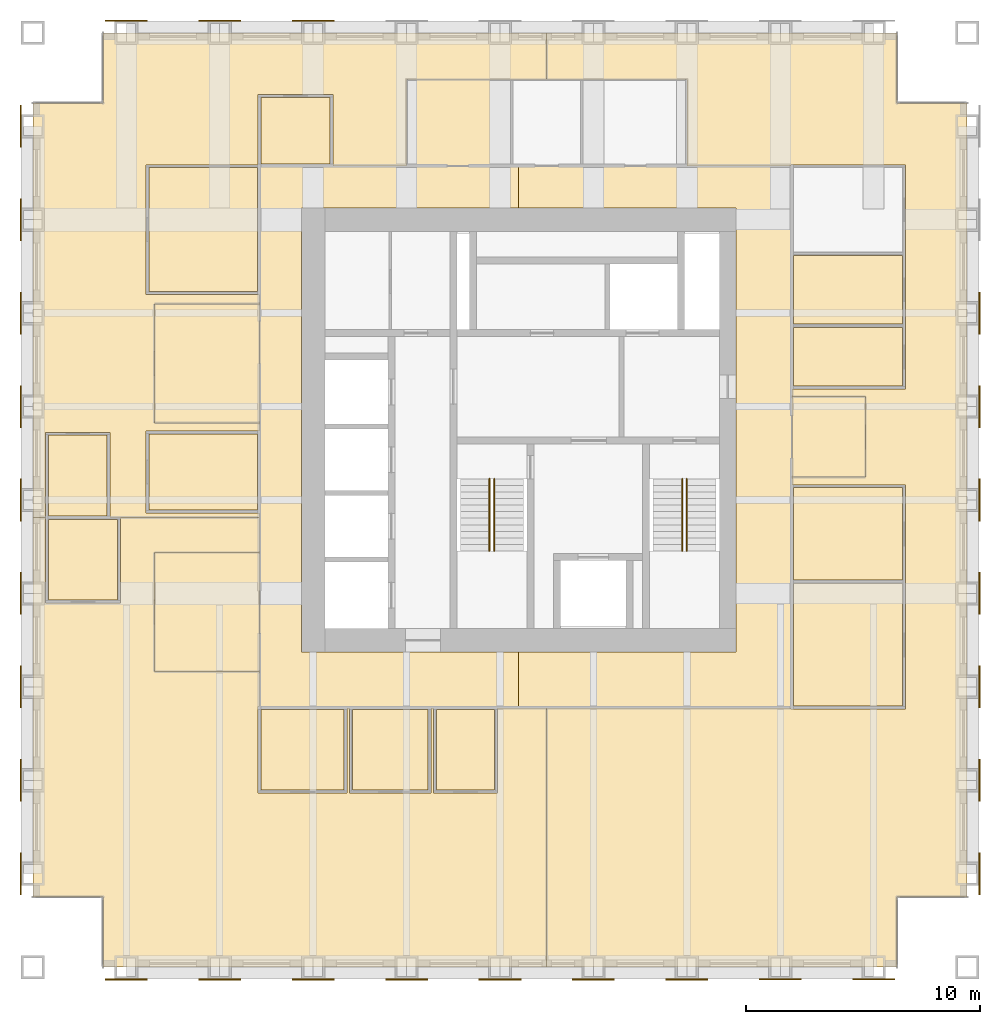
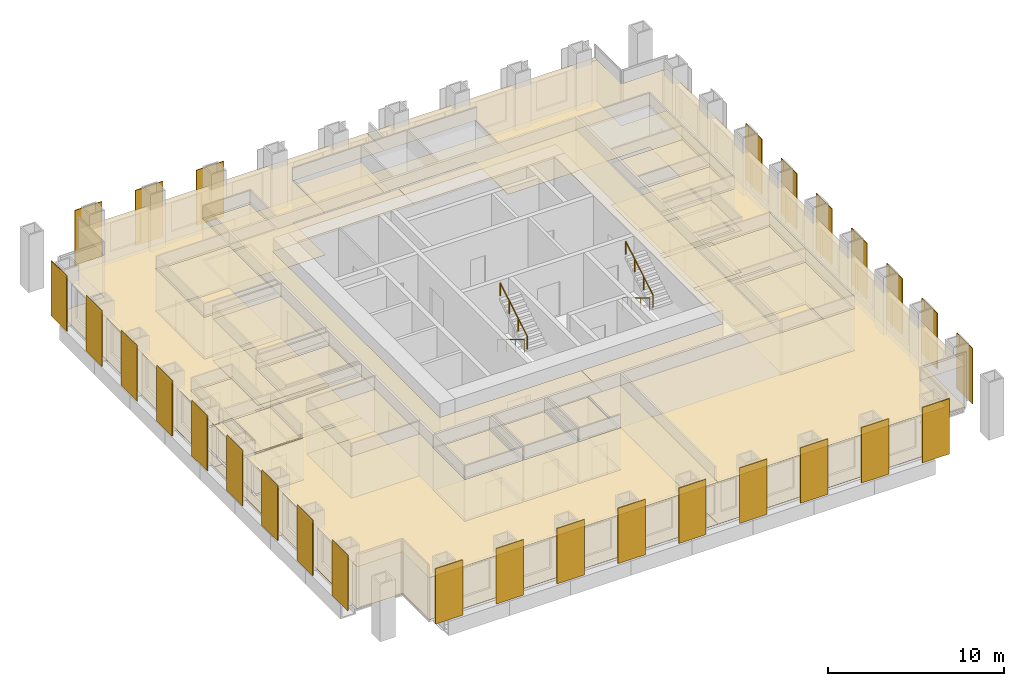
# One storey, part 12 of 13: 39 coverings, 28 shading devices, 4 railings.
"""IFC4 building model written with IfcOpenShell, lengths in metres."""

from ifc_helpers import new_model, si_unit, direction, frame, origin, origin_2d, place, context, subcontext, project, spatial, polyline, rectangle, circle, outline, extrude, material, layer, layer_set, type_object, element, save


model = new_model("IFC4")

# Units and contexts
model_context = context("Model", 3, precision=1e-05, world=origin(), true_north=direction((0.0, 1.0)))
body_context = subcontext(model_context, "Body", "Model", "MODEL_VIEW")
ifc_project = project(units=[si_unit("LENGTHUNIT", "METRE"), si_unit("AREAUNIT", "SQUARE_METRE"), si_unit("VOLUMEUNIT", "CUBIC_METRE"), si_unit("PLANEANGLEUNIT", "RADIAN"), si_unit("MASSUNIT", "GRAM", prefix="KILO")], contexts=[model_context])

# Site, building, storey
site_placement = place(None, origin())
site = spatial("IfcSite", under=ifc_project, at=site_placement, CompositionType="ELEMENT")
building_placement = place(site_placement, origin())
building = spatial("IfcBuilding", under=site, at=building_placement, Name="Rimbunsela Tower", CompositionType="ELEMENT")
storey_placement = place(building_placement, frame((0.0, 0.0, 286.199951171875)))
storey = spatial("IfcBuildingStorey", under=building, at=storey_placement, Name="L69", CompositionType="ELEMENT", Elevation=286.199951171875)

# Coverings
ifc_material_1 = material(Name="Nylon carpet tile", Category="textile")
ifc_layer_1 = layer(ifc_material_1, 0.010009765625)
ifc_layer_set_1 = layer_set([ifc_layer_1], Name="Carpet tile 10")
covering_type_1 = type_object("IfcCoveringType", Name="Carpet tile 10", PredefinedType="FLOORING", material=ifc_layer_set_1)
covering_1_placement = place(storey_placement, origin())
element("IfcCovering", 1, at=covering_1_placement, inside=storey, type_object=covering_type_1, Name="Floor finish Open office", PredefinedType="FLOORING", context=body_context, shape_type="SweptSolid", body=[
    extrude(outline(polyline([(19.449951171875, 15.10009765625), (19.550048828125, 15.10009765625), (19.550048828125, 11.449951171875), (23.050048828125, 11.449951171875), (23.050048828125, 15.10009765625), (23.14990234375, 15.10009765625), (23.14990234375, 11.449951171875), (25.89990234375, 11.449951171875), (25.89990234375, 15.10009765625), (27.9990234375, 15.10009765625), (27.9990234375, 4.0), (15.699951171875, 4.0), (9.0, 4.0), (9.0, 7.0), (6.0, 7.0), (6.0, 23.2490234375), (6.550048828125, 23.2490234375), (6.550048828125, 19.60009765625), (9.75, 19.60009765625), (9.75, 23.2490234375), (15.699951171875, 23.2490234375), (15.699951171875, 21.75), (11.199951171875, 21.75), (11.199951171875, 16.64990234375), (15.699951171875, 16.64990234375), (15.699951171875, 15.14990234375), (15.64990234375, 15.14990234375), (15.64990234375, 11.449951171875), (15.699951171875, 11.449951171875), (19.449951171875, 11.449951171875), (19.449951171875, 15.10009765625)])), origin(), (0.0, 0.0, 1.0), 0.010009765625),
])
covering_2_placement = place(storey_placement, origin())
element("IfcCovering", 2, at=covering_2_placement, inside=storey, type_object=covering_type_1, Name="Floor finish Open office", PredefinedType="FLOORING", context=body_context, shape_type="SweptSolid", body=[
    extrude(outline(polyline([(15.64990234375, 38.35009765625), (10.85009765625, 38.35009765625), (10.85009765625, 32.800048828125), (15.699951171875, 32.800048828125), (15.699951171875, 32.39990234375), (11.199951171875, 32.39990234375), (11.199951171875, 27.300048828125), (15.699951171875, 27.300048828125), (15.699951171875, 26.949951171875), (10.85009765625, 26.949951171875), (10.85009765625, 23.449951171875), (15.699951171875, 23.449951171875), (15.699951171875, 23.2509765625), (9.300048828125, 23.2509765625), (9.300048828125, 26.89990234375), (6.550048828125, 26.89990234375), (6.550048828125, 23.2509765625), (6.0, 23.2509765625), (6.0, 41.0), (9.0, 41.0), (9.0, 44.0), (15.699951171875, 44.0), (27.9990234375, 44.0), (27.9990234375, 42.0), (22.0, 42.0), (22.0, 38.300048828125), (18.85009765625, 38.300048828125), (18.85009765625, 41.35009765625), (15.699951171875, 41.35009765625), (15.64990234375, 41.35009765625), (15.64990234375, 38.35009765625)])), origin(), (0.0, 0.0, 1.0), 0.010009765625),
])
covering_3_placement = place(storey_placement, origin())
element("IfcCovering", 3, at=covering_3_placement, inside=storey, type_object=covering_type_1, Name="Floor finish Open office", PredefinedType="FLOORING", context=body_context, shape_type="SweptSolid", body=[
    extrude(outline(polyline([(28.0009765625, 15.10009765625), (38.449951171875, 15.10009765625), (38.449951171875, 15.050048828125), (38.5, 15.050048828125), (43.35009765625, 15.050048828125), (43.35009765625, 20.449951171875), (43.35009765625, 20.550048828125), (43.35009765625, 24.64990234375), (38.5, 24.64990234375), (38.5, 24.97509765625), (41.64990234375, 24.97509765625), (41.64990234375, 28.425048828125), (38.5, 28.425048828125), (38.5, 28.75), (43.35009765625, 28.75), (43.35009765625, 31.39990234375), (43.35009765625, 31.5), (43.35009765625, 34.5), (43.35009765625, 34.60009765625), (43.35009765625, 38.35009765625), (38.5, 38.35009765625), (38.449951171875, 38.35009765625), (38.449951171875, 38.300048828125), (34.0, 38.300048828125), (34.0, 42.0), (28.0009765625, 42.0), (28.0009765625, 44.0), (38.5, 44.0), (43.0, 44.0), (43.0, 41.0), (46.0, 41.0), (46.0, 7.0), (43.0, 7.0), (43.0, 4.0), (38.5, 4.0), (28.0009765625, 4.0), (28.0009765625, 15.10009765625)])), origin(), (0.0, 0.0, 1.0), 0.010009765625),
])
covering_4_placement = place(storey_placement, origin())
element("IfcCovering", 4, at=covering_4_placement, inside=storey, type_object=covering_type_1, Name="Floor finish Reception", PredefinedType="FLOORING", context=body_context, shape_type="SweptSolid", body=[
    extrude(outline(polyline([(15.699951171875, 16.64990234375), (15.699951171875, 21.75), (11.199951171875, 21.75), (11.199951171875, 16.64990234375), (15.699951171875, 16.64990234375)])), origin(), (0.0, 0.0, 1.0), 0.010009765625),
])
covering_5_placement = place(storey_placement, origin())
element("IfcCovering", 5, at=covering_5_placement, inside=storey, type_object=covering_type_1, Name="Floor finish Reception", PredefinedType="FLOORING", context=body_context, shape_type="SweptSolid", body=[
    extrude(outline(polyline([(15.699951171875, 27.300048828125), (15.699951171875, 32.39990234375), (11.199951171875, 32.39990234375), (11.199951171875, 27.300048828125), (15.699951171875, 27.300048828125)])), origin(), (0.0, 0.0, 1.0), 0.010009765625),
])
covering_6_placement = place(storey_placement, origin())
element("IfcCovering", 6, at=covering_6_placement, inside=storey, type_object=covering_type_1, Name="Floor finish Reception", PredefinedType="FLOORING", context=body_context, shape_type="SweptSolid", body=[
    extrude(outline(polyline([(41.64990234375, 24.97509765625), (41.64990234375, 28.425048828125), (38.5, 28.425048828125), (38.5, 24.97509765625), (41.64990234375, 24.97509765625)])), origin(), (0.0, 0.0, 1.0), 0.010009765625),
])
covering_7_placement = place(storey_placement, origin())
element("IfcCovering", 7, at=covering_7_placement, inside=storey, type_object=covering_type_1, Name="Floor finish Meeting room", PredefinedType="FLOORING", context=body_context, shape_type="SweptSolid", body=[
    extrude(outline(polyline([(15.625, 32.925048828125), (15.625, 38.22509765625), (10.97509765625, 38.22509765625), (10.97509765625, 32.925048828125), (15.625, 32.925048828125)])), origin(), (0.0, 0.0, 1.0), 0.010009765625),
])
covering_8_placement = place(storey_placement, origin())
element("IfcCovering", 8, at=covering_8_placement, inside=storey, type_object=covering_type_1, Name="Floor finish Meeting room", PredefinedType="FLOORING", context=body_context, shape_type="SweptSolid", body=[
    extrude(outline(polyline([(43.22509765625, 15.175048828125), (43.22509765625, 20.425048828125), (38.574951171875, 20.425048828125), (38.574951171875, 15.175048828125), (43.22509765625, 15.175048828125)])), origin(), (0.0, 0.0, 1.0), 0.010009765625),
])
covering_9_placement = place(storey_placement, origin())
element("IfcCovering", 9, at=covering_9_placement, inside=storey, type_object=covering_type_1, Name="Floor finish Pantry", PredefinedType="FLOORING", context=body_context, shape_type="SweptSolid", body=[
    extrude(outline(polyline([(43.22509765625, 20.574951171875), (43.22509765625, 24.52490234375), (38.574951171875, 24.52490234375), (38.574951171875, 20.574951171875), (43.22509765625, 20.574951171875)])), origin(), (0.0, 0.0, 1.0), 0.010009765625),
])
covering_10_placement = place(storey_placement, origin())
element("IfcCovering", 10, at=covering_10_placement, inside=storey, type_object=covering_type_1, Name="Floor finish Print and copy room", PredefinedType="FLOORING", context=body_context, shape_type="SweptSolid", body=[
    extrude(outline(polyline([(43.22509765625, 28.875), (43.22509765625, 31.375), (38.574951171875, 31.375), (38.574951171875, 28.875), (43.22509765625, 28.875)])), origin(), (0.0, 0.0, 1.0), 0.010009765625),
])
covering_11_placement = place(storey_placement, origin())
element("IfcCovering", 11, at=covering_11_placement, inside=storey, type_object=covering_type_1, Name="Floor finish Office", PredefinedType="FLOORING", context=body_context, shape_type="SweptSolid", body=[
    extrude(outline(polyline([(43.22509765625, 31.52490234375), (43.22509765625, 34.47509765625), (38.574951171875, 34.47509765625), (38.574951171875, 31.52490234375), (43.22509765625, 31.52490234375)])), origin(), (0.0, 0.0, 1.0), 0.010009765625),
])
covering_12_placement = place(storey_placement, origin())
element("IfcCovering", 12, at=covering_12_placement, inside=storey, type_object=covering_type_1, Name="Floor finish Meeting room", PredefinedType="FLOORING", context=body_context, shape_type="SweptSolid", body=[
    extrude(outline(polyline([(19.324951171875, 11.574951171875), (19.324951171875, 15.02490234375), (15.77490234375, 15.02490234375), (15.77490234375, 11.574951171875), (19.324951171875, 11.574951171875)])), origin(), (0.0, 0.0, 1.0), 0.010009765625),
])
covering_13_placement = place(storey_placement, origin())
element("IfcCovering", 13, at=covering_13_placement, inside=storey, type_object=covering_type_1, Name="Floor finish Pantry", PredefinedType="FLOORING", context=body_context, shape_type="SweptSolid", body=[
    extrude(outline(polyline([(22.925048828125, 11.574951171875), (22.925048828125, 15.02490234375), (19.675048828125, 15.02490234375), (19.675048828125, 11.574951171875), (22.925048828125, 11.574951171875)])), origin(), (0.0, 0.0, 1.0), 0.010009765625),
])
covering_14_placement = place(storey_placement, origin())
element("IfcCovering", 14, at=covering_14_placement, inside=storey, type_object=covering_type_1, Name="Floor finish Print and copy room", PredefinedType="FLOORING", context=body_context, shape_type="SweptSolid", body=[
    extrude(outline(polyline([(25.77490234375, 11.574951171875), (25.77490234375, 15.02490234375), (23.27490234375, 15.02490234375), (23.27490234375, 11.574951171875), (25.77490234375, 11.574951171875)])), origin(), (0.0, 0.0, 1.0), 0.010009765625),
])
covering_15_placement = place(storey_placement, origin())
element("IfcCovering", 15, at=covering_15_placement, inside=storey, type_object=covering_type_1, Name="Floor finish Office", PredefinedType="FLOORING", context=body_context, shape_type="SweptSolid", body=[
    extrude(outline(polyline([(9.625, 19.72509765625), (9.625, 23.175048828125), (6.675048828125, 23.175048828125), (6.675048828125, 19.72509765625), (9.625, 19.72509765625)])), origin(), (0.0, 0.0, 1.0), 0.010009765625),
])
covering_16_placement = place(storey_placement, origin())
element("IfcCovering", 16, at=covering_16_placement, inside=storey, type_object=covering_type_1, Name="Floor finish Pantry", PredefinedType="FLOORING", context=body_context, shape_type="SweptSolid", body=[
    extrude(outline(polyline([(15.625, 23.574951171875), (15.625, 26.824951171875), (10.97509765625, 26.824951171875), (10.97509765625, 23.574951171875), (15.625, 23.574951171875)])), origin(), (0.0, 0.0, 1.0), 0.010009765625),
])
covering_17_placement = place(storey_placement, origin())
element("IfcCovering", 17, at=covering_17_placement, inside=storey, type_object=covering_type_1, Name="Floor finish Print and copy room", PredefinedType="FLOORING", context=body_context, shape_type="SweptSolid", body=[
    extrude(outline(polyline([(9.175048828125, 23.324951171875), (9.175048828125, 26.77490234375), (6.675048828125, 26.77490234375), (6.675048828125, 23.324951171875), (9.175048828125, 23.324951171875)])), origin(), (0.0, 0.0, 1.0), 0.010009765625),
])
covering_18_placement = place(storey_placement, origin())
element("IfcCovering", 18, at=covering_18_placement, inside=storey, type_object=covering_type_1, Name="Floor finish Office", PredefinedType="FLOORING", context=body_context, shape_type="SweptSolid", body=[
    extrude(outline(polyline([(18.72509765625, 38.375), (18.72509765625, 41.22509765625), (15.77490234375, 41.22509765625), (15.77490234375, 38.375), (18.72509765625, 38.375)])), origin(), (0.0, 0.0, 1.0), 0.010009765625),
])
ifc_material_2 = material(Name="Mineral fibre ceiling tile", Category="gypsum")
ifc_layer_2 = layer(ifc_material_2, 0.02001953125)
ifc_layer_set_2 = layer_set([ifc_layer_2], Name="Ceiling 600 grid")
covering_type_2 = type_object("IfcCoveringType", Name="Ceiling 600 grid", PredefinedType="CEILING", material=ifc_layer_set_2)
covering_19_placement = place(storey_placement, frame((0.0, 0.0, 2.900146484375)))
element("IfcCovering", 19, at=covering_19_placement, inside=storey, type_object=covering_type_2, Name="Ceiling Ring corridor", PredefinedType="CEILING", context=body_context, shape_type="SweptSolid", body=[
    extrude(outline(polyline([(15.699951171875, 38.300048828125), (26.800048828125, 38.300048828125), (26.800048828125, 36.5), (17.5, 36.5), (17.5, 17.5), (26.800048828125, 17.5), (26.800048828125, 15.10009765625), (15.699951171875, 15.10009765625), (15.699951171875, 38.300048828125)])), origin(), (0.0, 0.0, 1.0), 0.02001953125),
])
covering_20_placement = place(storey_placement, frame((0.0, 0.0, 2.900146484375)))
element("IfcCovering", 20, at=covering_20_placement, inside=storey, type_object=covering_type_2, Name="Ceiling Ring corridor", PredefinedType="CEILING", context=body_context, shape_type="SweptSolid", body=[
    extrude(outline(polyline([(38.5, 38.300048828125), (38.5, 15.10009765625), (26.800048828125, 15.10009765625), (26.800048828125, 17.5), (36.10009765625, 17.5), (36.10009765625, 36.5), (26.800048828125, 36.5), (26.800048828125, 38.300048828125), (38.5, 38.300048828125)])), origin(), (0.0, 0.0, 1.0), 0.02001953125),
])
covering_21_placement = place(storey_placement, frame((0.0, 0.0, 2.900146484375)))
element("IfcCovering", 21, at=covering_21_placement, inside=storey, type_object=covering_type_2, Name="Ceiling Open office", PredefinedType="CEILING", context=body_context, shape_type="SweptSolid", body=[
    extrude(outline(polyline([(19.449951171875, 15.10009765625), (19.550048828125, 15.10009765625), (19.550048828125, 11.449951171875), (23.050048828125, 11.449951171875), (23.050048828125, 15.10009765625), (23.14990234375, 15.10009765625), (23.14990234375, 11.449951171875), (25.89990234375, 11.449951171875), (25.89990234375, 15.10009765625), (27.9990234375, 15.10009765625), (27.9990234375, 4.0), (15.699951171875, 4.0), (9.0, 4.0), (9.0, 7.0), (6.0, 7.0), (6.0, 23.2490234375), (6.550048828125, 23.2490234375), (6.550048828125, 19.60009765625), (9.75, 19.60009765625), (9.75, 23.2490234375), (15.699951171875, 23.2490234375), (15.699951171875, 21.75), (11.199951171875, 21.75), (11.199951171875, 16.64990234375), (15.699951171875, 16.64990234375), (15.699951171875, 15.14990234375), (15.64990234375, 15.14990234375), (15.64990234375, 11.449951171875), (15.699951171875, 11.449951171875), (19.449951171875, 11.449951171875), (19.449951171875, 15.10009765625)])), origin(), (0.0, 0.0, 1.0), 0.02001953125),
])
covering_22_placement = place(storey_placement, frame((0.0, 0.0, 2.900146484375)))
element("IfcCovering", 22, at=covering_22_placement, inside=storey, type_object=covering_type_2, Name="Ceiling Open office", PredefinedType="CEILING", context=body_context, shape_type="SweptSolid", body=[
    extrude(outline(polyline([(15.64990234375, 38.35009765625), (10.85009765625, 38.35009765625), (10.85009765625, 32.800048828125), (15.699951171875, 32.800048828125), (15.699951171875, 32.39990234375), (11.199951171875, 32.39990234375), (11.199951171875, 27.300048828125), (15.699951171875, 27.300048828125), (15.699951171875, 26.949951171875), (10.85009765625, 26.949951171875), (10.85009765625, 23.449951171875), (15.699951171875, 23.449951171875), (15.699951171875, 23.2509765625), (9.300048828125, 23.2509765625), (9.300048828125, 26.89990234375), (6.550048828125, 26.89990234375), (6.550048828125, 23.2509765625), (6.0, 23.2509765625), (6.0, 41.0), (9.0, 41.0), (9.0, 44.0), (15.699951171875, 44.0), (27.9990234375, 44.0), (27.9990234375, 42.0), (22.0, 42.0), (22.0, 38.300048828125), (18.85009765625, 38.300048828125), (18.85009765625, 41.35009765625), (15.699951171875, 41.35009765625), (15.64990234375, 41.35009765625), (15.64990234375, 38.35009765625)])), origin(), (0.0, 0.0, 1.0), 0.02001953125),
])
covering_23_placement = place(storey_placement, frame((0.0, 0.0, 2.900146484375)))
element("IfcCovering", 23, at=covering_23_placement, inside=storey, type_object=covering_type_2, Name="Ceiling Open office", PredefinedType="CEILING", context=body_context, shape_type="SweptSolid", body=[
    extrude(outline(polyline([(28.0009765625, 15.10009765625), (38.449951171875, 15.10009765625), (38.449951171875, 15.050048828125), (38.5, 15.050048828125), (43.35009765625, 15.050048828125), (43.35009765625, 20.449951171875), (43.35009765625, 20.550048828125), (43.35009765625, 24.64990234375), (38.5, 24.64990234375), (38.5, 24.97509765625), (41.64990234375, 24.97509765625), (41.64990234375, 28.425048828125), (38.5, 28.425048828125), (38.5, 28.75), (43.35009765625, 28.75), (43.35009765625, 31.39990234375), (43.35009765625, 31.5), (43.35009765625, 34.5), (43.35009765625, 34.60009765625), (43.35009765625, 38.35009765625), (38.5, 38.35009765625), (38.449951171875, 38.35009765625), (38.449951171875, 38.300048828125), (34.0, 38.300048828125), (34.0, 42.0), (28.0009765625, 42.0), (28.0009765625, 44.0), (38.5, 44.0), (43.0, 44.0), (43.0, 41.0), (46.0, 41.0), (46.0, 7.0), (43.0, 7.0), (43.0, 4.0), (38.5, 4.0), (28.0009765625, 4.0), (28.0009765625, 15.10009765625)])), origin(), (0.0, 0.0, 1.0), 0.02001953125),
])
covering_24_placement = place(storey_placement, frame((0.0, 0.0, 2.900146484375)))
element("IfcCovering", 24, at=covering_24_placement, inside=storey, type_object=covering_type_2, Name="Ceiling Reception", PredefinedType="CEILING", context=body_context, shape_type="SweptSolid", body=[
    extrude(outline(polyline([(15.699951171875, 16.64990234375), (15.699951171875, 21.75), (11.199951171875, 21.75), (11.199951171875, 16.64990234375), (15.699951171875, 16.64990234375)])), origin(), (0.0, 0.0, 1.0), 0.02001953125),
])
covering_25_placement = place(storey_placement, frame((0.0, 0.0, 2.900146484375)))
element("IfcCovering", 25, at=covering_25_placement, inside=storey, type_object=covering_type_2, Name="Ceiling Reception", PredefinedType="CEILING", context=body_context, shape_type="SweptSolid", body=[
    extrude(outline(polyline([(15.699951171875, 27.300048828125), (15.699951171875, 32.39990234375), (11.199951171875, 32.39990234375), (11.199951171875, 27.300048828125), (15.699951171875, 27.300048828125)])), origin(), (0.0, 0.0, 1.0), 0.02001953125),
])
covering_26_placement = place(storey_placement, frame((0.0, 0.0, 2.900146484375)))
element("IfcCovering", 26, at=covering_26_placement, inside=storey, type_object=covering_type_2, Name="Ceiling Reception", PredefinedType="CEILING", context=body_context, shape_type="SweptSolid", body=[
    extrude(outline(polyline([(41.64990234375, 24.97509765625), (41.64990234375, 28.425048828125), (38.5, 28.425048828125), (38.5, 24.97509765625), (41.64990234375, 24.97509765625)])), origin(), (0.0, 0.0, 1.0), 0.02001953125),
])
covering_27_placement = place(storey_placement, frame((0.0, 0.0, 2.900146484375)))
element("IfcCovering", 27, at=covering_27_placement, inside=storey, type_object=covering_type_2, Name="Ceiling Meeting room", PredefinedType="CEILING", context=body_context, shape_type="SweptSolid", body=[
    extrude(outline(polyline([(15.625, 32.925048828125), (15.625, 38.22509765625), (10.97509765625, 38.22509765625), (10.97509765625, 32.925048828125), (15.625, 32.925048828125)])), origin(), (0.0, 0.0, 1.0), 0.02001953125),
])
covering_28_placement = place(storey_placement, frame((0.0, 0.0, 2.900146484375)))
element("IfcCovering", 28, at=covering_28_placement, inside=storey, type_object=covering_type_2, Name="Ceiling Meeting room", PredefinedType="CEILING", context=body_context, shape_type="SweptSolid", body=[
    extrude(outline(polyline([(43.22509765625, 15.175048828125), (43.22509765625, 20.425048828125), (38.574951171875, 20.425048828125), (38.574951171875, 15.175048828125), (43.22509765625, 15.175048828125)])), origin(), (0.0, 0.0, 1.0), 0.02001953125),
])
covering_29_placement = place(storey_placement, frame((0.0, 0.0, 2.900146484375)))
element("IfcCovering", 29, at=covering_29_placement, inside=storey, type_object=covering_type_2, Name="Ceiling Pantry", PredefinedType="CEILING", context=body_context, shape_type="SweptSolid", body=[
    extrude(outline(polyline([(43.22509765625, 20.574951171875), (43.22509765625, 24.52490234375), (38.574951171875, 24.52490234375), (38.574951171875, 20.574951171875), (43.22509765625, 20.574951171875)])), origin(), (0.0, 0.0, 1.0), 0.02001953125),
])
covering_30_placement = place(storey_placement, frame((0.0, 0.0, 2.900146484375)))
element("IfcCovering", 30, at=covering_30_placement, inside=storey, type_object=covering_type_2, Name="Ceiling Print and copy room", PredefinedType="CEILING", context=body_context, shape_type="SweptSolid", body=[
    extrude(outline(polyline([(43.22509765625, 28.875), (43.22509765625, 31.375), (38.574951171875, 31.375), (38.574951171875, 28.875), (43.22509765625, 28.875)])), origin(), (0.0, 0.0, 1.0), 0.02001953125),
])
covering_31_placement = place(storey_placement, frame((0.0, 0.0, 2.900146484375)))
element("IfcCovering", 31, at=covering_31_placement, inside=storey, type_object=covering_type_2, Name="Ceiling Office", PredefinedType="CEILING", context=body_context, shape_type="SweptSolid", body=[
    extrude(outline(polyline([(43.22509765625, 31.52490234375), (43.22509765625, 34.47509765625), (38.574951171875, 34.47509765625), (38.574951171875, 31.52490234375), (43.22509765625, 31.52490234375)])), origin(), (0.0, 0.0, 1.0), 0.02001953125),
])
covering_32_placement = place(storey_placement, frame((0.0, 0.0, 2.900146484375)))
element("IfcCovering", 32, at=covering_32_placement, inside=storey, type_object=covering_type_2, Name="Ceiling Meeting room", PredefinedType="CEILING", context=body_context, shape_type="SweptSolid", body=[
    extrude(outline(polyline([(19.324951171875, 11.574951171875), (19.324951171875, 15.02490234375), (15.77490234375, 15.02490234375), (15.77490234375, 11.574951171875), (19.324951171875, 11.574951171875)])), origin(), (0.0, 0.0, 1.0), 0.02001953125),
])
covering_33_placement = place(storey_placement, frame((0.0, 0.0, 2.900146484375)))
element("IfcCovering", 33, at=covering_33_placement, inside=storey, type_object=covering_type_2, Name="Ceiling Pantry", PredefinedType="CEILING", context=body_context, shape_type="SweptSolid", body=[
    extrude(outline(polyline([(22.925048828125, 11.574951171875), (22.925048828125, 15.02490234375), (19.675048828125, 15.02490234375), (19.675048828125, 11.574951171875), (22.925048828125, 11.574951171875)])), origin(), (0.0, 0.0, 1.0), 0.02001953125),
])
covering_34_placement = place(storey_placement, frame((0.0, 0.0, 2.900146484375)))
element("IfcCovering", 34, at=covering_34_placement, inside=storey, type_object=covering_type_2, Name="Ceiling Print and copy room", PredefinedType="CEILING", context=body_context, shape_type="SweptSolid", body=[
    extrude(outline(polyline([(25.77490234375, 11.574951171875), (25.77490234375, 15.02490234375), (23.27490234375, 15.02490234375), (23.27490234375, 11.574951171875), (25.77490234375, 11.574951171875)])), origin(), (0.0, 0.0, 1.0), 0.02001953125),
])
covering_35_placement = place(storey_placement, frame((0.0, 0.0, 2.900146484375)))
element("IfcCovering", 35, at=covering_35_placement, inside=storey, type_object=covering_type_2, Name="Ceiling Office", PredefinedType="CEILING", context=body_context, shape_type="SweptSolid", body=[
    extrude(outline(polyline([(9.625, 19.72509765625), (9.625, 23.175048828125), (6.675048828125, 23.175048828125), (6.675048828125, 19.72509765625), (9.625, 19.72509765625)])), origin(), (0.0, 0.0, 1.0), 0.02001953125),
])
covering_36_placement = place(storey_placement, frame((0.0, 0.0, 2.900146484375)))
element("IfcCovering", 36, at=covering_36_placement, inside=storey, type_object=covering_type_2, Name="Ceiling Pantry", PredefinedType="CEILING", context=body_context, shape_type="SweptSolid", body=[
    extrude(outline(polyline([(15.625, 23.574951171875), (15.625, 26.824951171875), (10.97509765625, 26.824951171875), (10.97509765625, 23.574951171875), (15.625, 23.574951171875)])), origin(), (0.0, 0.0, 1.0), 0.02001953125),
])
covering_37_placement = place(storey_placement, frame((0.0, 0.0, 2.900146484375)))
element("IfcCovering", 37, at=covering_37_placement, inside=storey, type_object=covering_type_2, Name="Ceiling Print and copy room", PredefinedType="CEILING", context=body_context, shape_type="SweptSolid", body=[
    extrude(outline(polyline([(9.175048828125, 23.324951171875), (9.175048828125, 26.77490234375), (6.675048828125, 26.77490234375), (6.675048828125, 23.324951171875), (9.175048828125, 23.324951171875)])), origin(), (0.0, 0.0, 1.0), 0.02001953125),
])
covering_38_placement = place(storey_placement, frame((0.0, 0.0, 2.900146484375)))
element("IfcCovering", 38, at=covering_38_placement, inside=storey, type_object=covering_type_2, Name="Ceiling Office", PredefinedType="CEILING", context=body_context, shape_type="SweptSolid", body=[
    extrude(outline(polyline([(18.72509765625, 38.375), (18.72509765625, 41.22509765625), (15.77490234375, 41.22509765625), (15.77490234375, 38.375), (18.72509765625, 38.375)])), origin(), (0.0, 0.0, 1.0), 0.02001953125),
])
ifc_material_3 = material(Name="Moisture-resistant plasterboard ceiling", Category="gypsum")
ifc_layer_3 = layer(ifc_material_3, 0.012451171875)
ifc_layer_set_3 = layer_set([ifc_layer_3], Name="Ceiling moisture-resistant board")
covering_type_3 = type_object("IfcCoveringType", Name="Ceiling moisture-resistant board", PredefinedType="CEILING", material=ifc_layer_set_3)
covering_39_placement = place(storey_placement, frame((0.0, 0.0, 2.60009765625)))
element("IfcCovering", 39, at=covering_39_placement, inside=storey, type_object=covering_type_3, Name="Ceiling Female WC", PredefinedType="CEILING", context=body_context, shape_type="SweptSolid", body=[
    extrude(outline(polyline([(26.5, 38.300048828125), (26.5, 42.0), (22.0, 42.0), (22.0, 38.300048828125), (26.5, 38.300048828125)])), origin(), (0.0, 0.0, 1.0), 0.02001953125),
])

# Shading devices
ifc_material_4 = material(Name="Perforated aluminium, 35 % open area", Category="aluminium")
ifc_layer_4 = layer(ifc_material_4, 0.050048828125)
ifc_layer_set_4 = layer_set([ifc_layer_4], Name="Solar screen panel 1800")
shading_device_type = type_object("IfcShadingDeviceType", Name="Solar screen panel 1800", PredefinedType="USERDEFINED", material=ifc_layer_set_4)
for number, where, z_axis, x_axis, name in (
    (40, (10.0, 3.47509765625, 0.0), (0.0, 0.0, 1.0), (1.0, 0.0, 0.0), "Solar screen S L69"),
    (41, (14.0, 3.47509765625, 0.0), (0.0, 0.0, 1.0), (1.0, 0.0, 0.0), "Solar screen S L69"),
    (42, (18.0, 3.47509765625, 0.0), (0.0, 0.0, 1.0), (1.0, 0.0, 0.0), "Solar screen S L69"),
    (43, (22.0, 3.47509765625, 0.0), (0.0, 0.0, 1.0), (1.0, 0.0, 0.0), "Solar screen S L69"),
    (44, (26.0, 3.47509765625, 0.0), (0.0, 0.0, 1.0), (1.0, 0.0, 0.0), "Solar screen S L69"),
    (45, (30.0, 3.47509765625, 0.0), (0.0, 0.0, 1.0), (1.0, 0.0, 0.0), "Solar screen S L69"),
    (46, (34.0, 3.47509765625, 0.0), (0.0, 0.0, 1.0), (1.0, 0.0, 0.0), "Solar screen S L69"),
    (47, (38.0, 3.47509765625, 0.0), (0.0, 0.0, 1.0), (1.0, 0.0, 0.0), "Solar screen S L69"),
    (48, (42.0, 3.47509765625, 0.0), (0.0, 0.0, 1.0), (1.0, 0.0, 0.0), "Solar screen S L69"),
    (49, (46.52490234375, 8.0, 0.0), (0.0, 0.0, 1.0), (0.0, 1.0, 0.0), "Solar screen E L69"),
    (50, (46.52490234375, 12.0, 0.0), (0.0, 0.0, 1.0), (0.0, 1.0, 0.0), "Solar screen E L69"),
    (51, (46.52490234375, 16.0, 0.0), (0.0, 0.0, 1.0), (0.0, 1.0, 0.0), "Solar screen E L69"),
    (52, (46.52490234375, 20.0, 0.0), (0.0, 0.0, 1.0), (0.0, 1.0, 0.0), "Solar screen E L69"),
    (53, (46.52490234375, 24.0, 0.0), (0.0, 0.0, 1.0), (0.0, 1.0, 0.0), "Solar screen E L69"),
    (54, (46.52490234375, 28.0, 0.0), (0.0, 0.0, 1.0), (0.0, 1.0, 0.0), "Solar screen E L69"),
    (55, (46.52490234375, 32.0, 0.0), (0.0, 0.0, 1.0), (0.0, 1.0, 0.0), "Solar screen E L69"),
    (56, (10.0, 44.52490234375, 0.0), (0.0, 0.0, 1.0), (1.0, 0.0, 0.0), "Solar screen N L69"),
    (57, (14.0, 44.52490234375, 0.0), (0.0, 0.0, 1.0), (1.0, 0.0, 0.0), "Solar screen N L69"),
    (58, (18.0, 44.52490234375, 0.0), (0.0, 0.0, 1.0), (1.0, 0.0, 0.0), "Solar screen N L69"),
    (59, (5.47509765625, 8.0, 0.0), (0.0, 0.0, 1.0), (0.0, 1.0, 0.0), "Solar screen W L69"),
    (60, (5.47509765625, 12.0, 0.0), (0.0, 0.0, 1.0), (0.0, 1.0, 0.0), "Solar screen W L69"),
    (61, (5.47509765625, 16.0, 0.0), (0.0, 0.0, 1.0), (0.0, 1.0, 0.0), "Solar screen W L69"),
    (62, (5.47509765625, 20.0, 0.0), (0.0, 0.0, 1.0), (0.0, 1.0, 0.0), "Solar screen W L69"),
    (63, (5.47509765625, 24.0, 0.0), (0.0, 0.0, 1.0), (0.0, 1.0, 0.0), "Solar screen W L69"),
    (64, (5.47509765625, 28.0, 0.0), (0.0, 0.0, 1.0), (0.0, 1.0, 0.0), "Solar screen W L69"),
    (65, (5.47509765625, 32.0, 0.0), (0.0, 0.0, 1.0), (0.0, 1.0, 0.0), "Solar screen W L69"),
    (66, (5.47509765625, 36.0, 0.0), (0.0, 0.0, 1.0), (0.0, 1.0, 0.0), "Solar screen W L69"),
    (67, (5.47509765625, 40.0, 0.0), (0.0, 0.0, 1.0), (0.0, 1.0, 0.0), "Solar screen W L69"),
):
    element("IfcShadingDevice", number, at=place(storey_placement, frame(where, z_axis=z_axis, x_axis=x_axis)), inside=storey, type_object=shading_device_type, Name=name, ObjectType="SCREEN", PredefinedType="USERDEFINED", context=body_context, shape_type="SweptSolid", body=[
        extrude(rectangle(XDim=1.800048828125, YDim=0.050048828125, at=origin_2d()), origin(), (0.0, 0.0, 1.0), 3.85009765625),
    ])

# Railings
ifc_material_5 = material(Name="Stainless steel tube", Category="steel")
railing_type = type_object("IfcRailingType", Name="Stair handrail 900", PredefinedType="HANDRAIL", material=ifc_material_5)
railing_1_placement = place(storey_placement, frame((25.550048828125, 24.89990234375, 0.166748046875)))
element("IfcRailing", 68, at=railing_1_placement, inside=storey, type_object=railing_type, Name="Handrail ST-A flight 1", PredefinedType="HANDRAIL", context=body_context, shape_type="SweptSolid", body=[
    extrude(circle(Radius=0.02392578125, at=origin_2d()), frame((0.0, 0.0, 0.8759765625), z_axis=(0.0, -0.859290745958, 0.51148745235), x_axis=(1.0, 0.0, 0.0)), (0.0, 0.0, 1.0), 3.584228515625),
    extrude(circle(Radius=0.02099609375, at=origin_2d()), origin(), (0.0, 0.0, 1.0), 0.851806640625),
    extrude(circle(Radius=0.02099609375, at=origin_2d()), frame((0.0, -1.026611328125, 0.611083984375)), (0.0, 0.0, 1.0), 0.851806640625),
    extrude(circle(Radius=0.02099609375, at=origin_2d()), frame((0.0, -2.05322265625, 1.22216796875)), (0.0, 0.0, 1.0), 0.851806640625),
    extrude(circle(Radius=0.02099609375, at=origin_2d()), frame((0.0, -3.079833984375, 1.833251953125)), (0.0, 0.0, 1.0), 0.851806640625),
])
railing_2_placement = place(storey_placement, frame((25.75, 21.820068359375, 2.166748046875)))
element("IfcRailing", 69, at=railing_2_placement, inside=storey, type_object=railing_type, Name="Handrail ST-A flight 2", PredefinedType="HANDRAIL", context=body_context, shape_type="SweptSolid", body=[
    extrude(circle(Radius=0.02392578125, at=origin_2d()), frame((0.0, 0.0, 0.8759765625), z_axis=(0.0, 0.859290745958, 0.51148745235), x_axis=(-1.0, 0.0, 0.0)), (0.0, 0.0, 1.0), 3.584228515625),
    extrude(circle(Radius=0.02099609375, at=origin_2d()), origin(), (0.0, 0.0, 1.0), 0.851806640625),
    extrude(circle(Radius=0.02099609375, at=origin_2d()), frame((0.0, 1.026611328125, 0.611083984375)), (0.0, 0.0, 1.0), 0.851806640625),
    extrude(circle(Radius=0.02099609375, at=origin_2d()), frame((0.0, 2.05322265625, 1.22216796875)), (0.0, 0.0, 1.0), 0.851806640625),
    extrude(circle(Radius=0.02099609375, at=origin_2d()), frame((0.0, 3.079833984375, 1.833251953125)), (0.0, 0.0, 1.0), 0.851806640625),
])
railing_3_placement = place(storey_placement, frame((33.800048828125, 24.89990234375, 0.166748046875)))
element("IfcRailing", 70, at=railing_3_placement, inside=storey, type_object=railing_type, Name="Handrail ST-B flight 1", PredefinedType="HANDRAIL", context=body_context, shape_type="SweptSolid", body=[
    extrude(circle(Radius=0.02392578125, at=origin_2d()), frame((0.0, 0.0, 0.8759765625), z_axis=(0.0, -0.859290745958, 0.51148745235), x_axis=(1.0, 0.0, 0.0)), (0.0, 0.0, 1.0), 3.584228515625),
    extrude(circle(Radius=0.02099609375, at=origin_2d()), origin(), (0.0, 0.0, 1.0), 0.851806640625),
    extrude(circle(Radius=0.02099609375, at=origin_2d()), frame((0.0, -1.026611328125, 0.611083984375)), (0.0, 0.0, 1.0), 0.851806640625),
    extrude(circle(Radius=0.02099609375, at=origin_2d()), frame((0.0, -2.05322265625, 1.22216796875)), (0.0, 0.0, 1.0), 0.851806640625),
    extrude(circle(Radius=0.02099609375, at=origin_2d()), frame((0.0, -3.079833984375, 1.833251953125)), (0.0, 0.0, 1.0), 0.851806640625),
])
railing_4_placement = place(storey_placement, frame((34.0, 21.820068359375, 2.166748046875)))
element("IfcRailing", 71, at=railing_4_placement, inside=storey, type_object=railing_type, Name="Handrail ST-B flight 2", PredefinedType="HANDRAIL", context=body_context, shape_type="SweptSolid", body=[
    extrude(circle(Radius=0.02392578125, at=origin_2d()), frame((0.0, 0.0, 0.8759765625), z_axis=(0.0, 0.859290745958, 0.51148745235), x_axis=(-1.0, 0.0, 0.0)), (0.0, 0.0, 1.0), 3.584228515625),
    extrude(circle(Radius=0.02099609375, at=origin_2d()), origin(), (0.0, 0.0, 1.0), 0.851806640625),
    extrude(circle(Radius=0.02099609375, at=origin_2d()), frame((0.0, 1.026611328125, 0.611083984375)), (0.0, 0.0, 1.0), 0.851806640625),
    extrude(circle(Radius=0.02099609375, at=origin_2d()), frame((0.0, 2.05322265625, 1.22216796875)), (0.0, 0.0, 1.0), 0.851806640625),
    extrude(circle(Radius=0.02099609375, at=origin_2d()), frame((0.0, 3.079833984375, 1.833251953125)), (0.0, 0.0, 1.0), 0.851806640625),
])

save(model, "model.ifc")
